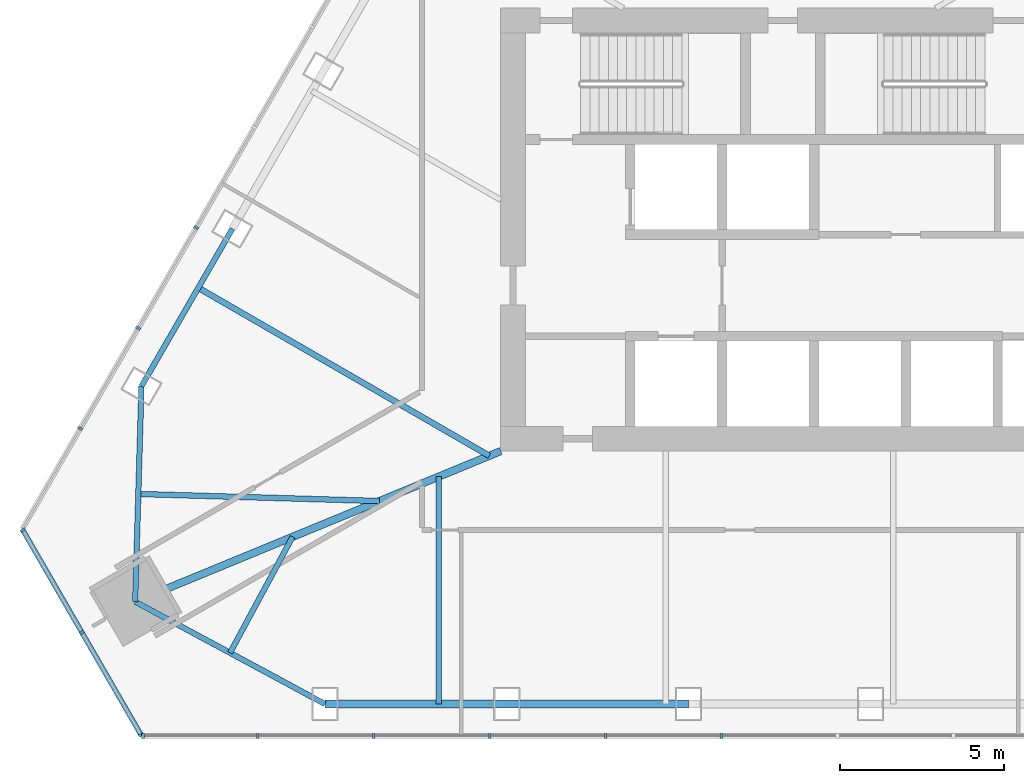
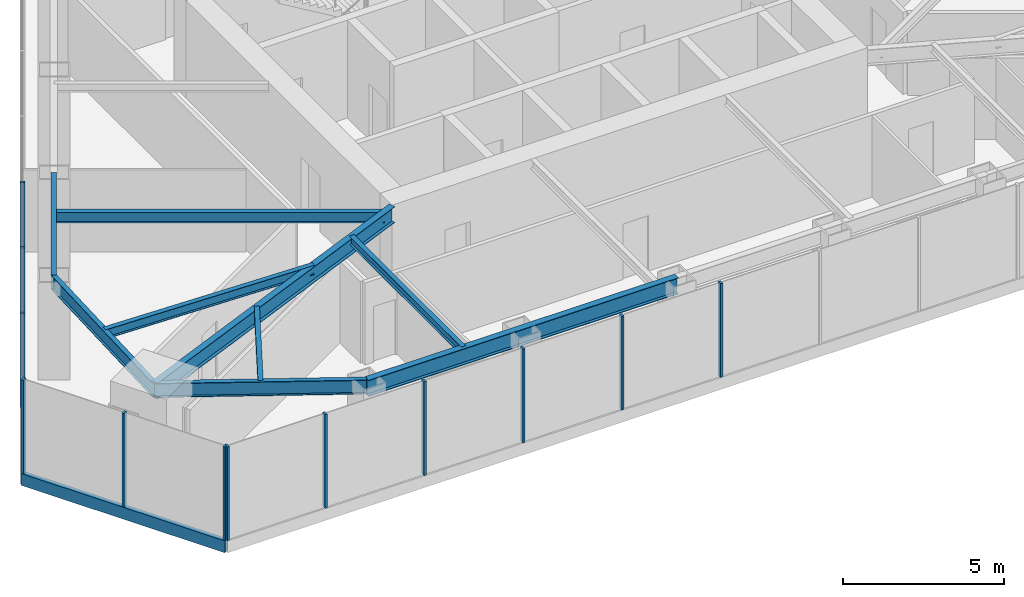
# One storey, part 2 of 13: 13 members, 9 beams, 3 elements without a shape of their own.
"""IFC4 building model written with IfcOpenShell, lengths in metres."""

from ifc_helpers import new_model, si_unit, direction, frame, origin, origin_2d, place, context, subcontext, project, spatial, rectangle, i_section, extrude, material, layer, layer_set, material_profile, profile_set, type_object, element, aggregate, save


model = new_model("IFC4")

# Units and contexts
model_context = context("Model", 3, precision=1e-05, world=origin(), true_north=direction((0.0, 1.0)))
body_context = subcontext(model_context, "Body", "Model", "MODEL_VIEW")
ifc_project = project(units=[si_unit("LENGTHUNIT", "METRE"), si_unit("AREAUNIT", "SQUARE_METRE"), si_unit("VOLUMEUNIT", "CUBIC_METRE"), si_unit("PLANEANGLEUNIT", "RADIAN"), si_unit("MASSUNIT", "GRAM", prefix="KILO")], contexts=[model_context])

# Site, building, storey
site_placement = place(None, origin())
site = spatial("IfcSite", under=ifc_project, at=site_placement, CompositionType="ELEMENT")
building_placement = place(site_placement, origin())
building = spatial("IfcBuilding", under=site, at=building_placement, Name="Firuza Gate Tower and Library", CompositionType="ELEMENT")
storey_placement = place(building_placement, frame((0.0, 0.0, 335.60009765625)))
storey = spatial("IfcBuildingStorey", under=building, at=storey_placement, Name="L82", CompositionType="ELEMENT", Elevation=335.60009765625)

# Curtain wall, members
ifc_material_1 = material(Name="Aluminium 6063-T6", Category="aluminium")
ifc_layer = layer(ifc_material_1, 0.14990234375)
ifc_layer_set = layer_set([ifc_layer], Name="Ceramic screen wall, crown plant")
curtain_wall_type = type_object("IfcCurtainWallType", Name="Ceramic screen wall, crown plant", PredefinedType="NOTDEFINED", material=ifc_layer_set)
placement = place(storey_placement, origin())
curtain_wall_1 = element("IfcCurtainWall", 1, at=placement, inside=storey, type_object=curtain_wall_type, Name="CW6 L82 S", PredefinedType="NOTDEFINED")
ifc_material_2 = material(Name="Aluminium 6063-T6", Category="aluminium")
ifc_material_profile_1 = material_profile(ifc_material_2, rectangle(XDim=0.14990234375, YDim=0.080078125, at=origin_2d()))
ifc_profile_set_1 = profile_set([ifc_material_profile_1], Name="Aluminium 6063-T6")
member_type_1 = type_object("IfcMemberType", Name="Curtain wall mullion 80x150", PredefinedType="MULLION", material=ifc_profile_set_1)
member_1_placement = place(storey_placement, frame((55.5966796875, 59.5673828125, 0.14990234375), z_axis=(0.0, 0.0, 1.0), x_axis=(0.0, 1.0, 0.0)))
member_1 = element("IfcMember", 2, at=member_1_placement, type_object=member_type_1, Name="Mullion", PredefinedType="MULLION", context=body_context, shape_type="SweptSolid", body=[
    extrude(rectangle(XDim=0.14990234375, YDim=0.080078125, at=origin_2d()), origin(), (0.0, 0.0, 1.0), 3.550048828125),
])
member_2_placement = place(storey_placement, frame((59.091796875, 59.5673828125, 0.14990234375), z_axis=(0.0, 0.0, 1.0), x_axis=(0.0, 1.0, 0.0)))
member_2 = element("IfcMember", 3, at=member_2_placement, type_object=member_type_1, Name="Mullion", PredefinedType="MULLION", context=body_context, shape_type="SweptSolid", body=[
    extrude(rectangle(XDim=0.14990234375, YDim=0.080078125, at=origin_2d()), origin(), (0.0, 0.0, 1.0), 3.550048828125),
])
member_3_placement = place(storey_placement, frame((62.626953125, 59.5673828125, 0.14990234375), z_axis=(0.0, 0.0, 1.0), x_axis=(0.0, 1.0, 0.0)))
member_3 = element("IfcMember", 4, at=member_3_placement, type_object=member_type_1, Name="Mullion", PredefinedType="MULLION", context=body_context, shape_type="SweptSolid", body=[
    extrude(rectangle(XDim=0.14990234375, YDim=0.080078125, at=origin_2d()), origin(), (0.0, 0.0, 1.0), 3.550048828125),
])
member_4_placement = place(storey_placement, frame((66.162109375, 59.5673828125, 0.14990234375), z_axis=(0.0, 0.0, 1.0), x_axis=(0.0, 1.0, 0.0)))
member_4 = element("IfcMember", 5, at=member_4_placement, type_object=member_type_1, Name="Mullion", PredefinedType="MULLION", context=body_context, shape_type="SweptSolid", body=[
    extrude(rectangle(XDim=0.14990234375, YDim=0.080078125, at=origin_2d()), origin(), (0.0, 0.0, 1.0), 3.550048828125),
])
member_5_placement = place(storey_placement, frame((69.697265625, 59.5673828125, 0.14990234375), z_axis=(0.0, 0.0, 1.0), x_axis=(0.0, 1.0, 0.0)))
member_5 = element("IfcMember", 6, at=member_5_placement, type_object=member_type_1, Name="Mullion", PredefinedType="MULLION", context=body_context, shape_type="SweptSolid", body=[
    extrude(rectangle(XDim=0.14990234375, YDim=0.080078125, at=origin_2d()), origin(), (0.0, 0.0, 1.0), 3.550048828125),
])
member_6_placement = place(storey_placement, frame((73.232421875, 59.5673828125, 0.14990234375), z_axis=(0.0, 0.0, 1.0), x_axis=(0.0, 1.0, 0.0)))
member_6 = element("IfcMember", 7, at=member_6_placement, type_object=member_type_1, Name="Mullion", PredefinedType="MULLION", context=body_context, shape_type="SweptSolid", body=[
    extrude(rectangle(XDim=0.14990234375, YDim=0.080078125, at=origin_2d()), origin(), (0.0, 0.0, 1.0), 3.550048828125),
])
aggregate(curtain_wall_1, [member_1, member_2, member_3, member_4, member_5, member_6])

curtain_wall_2 = element("IfcCurtainWall", 8, at=placement, inside=storey, type_object=curtain_wall_type, Name="CW6 L82 W", PredefinedType="NOTDEFINED")
member_7_placement = place(storey_placement, frame((57.216064453125, 75.0625, 0.14990234375), z_axis=(0.0, 0.0, 1.0), x_axis=(0.866025403784, -0.5, 0.0)))
member_7 = element("IfcMember", 9, at=member_7_placement, type_object=member_type_1, Name="Mullion", PredefinedType="MULLION", context=body_context, shape_type="SweptSolid", body=[
    extrude(rectangle(XDim=0.14990234375, YDim=0.080078125, at=origin_2d()), origin(), (0.0, 0.0, 1.0), 3.550048828125),
])
member_8_placement = place(storey_placement, frame((55.448486328125, 72.0009765625, 0.14990234375), z_axis=(0.0, 0.0, 1.0), x_axis=(0.866025403784, -0.5, 0.0)))
member_8 = element("IfcMember", 10, at=member_8_placement, type_object=member_type_1, Name="Mullion", PredefinedType="MULLION", context=body_context, shape_type="SweptSolid", body=[
    extrude(rectangle(XDim=0.14990234375, YDim=0.080078125, at=origin_2d()), origin(), (0.0, 0.0, 1.0), 3.550048828125),
])
member_9_placement = place(storey_placement, frame((53.680908203125, 68.939453125, 0.14990234375), z_axis=(0.0, 0.0, 1.0), x_axis=(0.866025403784, -0.5, 0.0)))
member_9 = element("IfcMember", 11, at=member_9_placement, type_object=member_type_1, Name="Mullion", PredefinedType="MULLION", context=body_context, shape_type="SweptSolid", body=[
    extrude(rectangle(XDim=0.14990234375, YDim=0.080078125, at=origin_2d()), origin(), (0.0, 0.0, 1.0), 3.550048828125),
])
aggregate(curtain_wall_2, [member_7, member_8, member_9])

curtain_wall_3 = element("IfcCurtainWall", 12, at=placement, inside=storey, type_object=curtain_wall_type, Name="CW6 L82 SW", PredefinedType="NOTDEFINED")
member_10_placement = place(storey_placement, frame((51.933349609375, 65.84326171875, 0.14990234375), z_axis=(0.0, 0.0, 1.0), x_axis=(0.866025403784, 0.5, 0.0)))
member_10 = element("IfcMember", 13, at=member_10_placement, type_object=member_type_1, Name="Mullion", PredefinedType="MULLION", context=body_context, shape_type="SweptSolid", body=[
    extrude(rectangle(XDim=0.14990234375, YDim=0.080078125, at=origin_2d()), origin(), (0.0, 0.0, 1.0), 3.550048828125),
])
member_11_placement = place(storey_placement, frame((53.735107421875, 62.72265625, 0.14990234375), z_axis=(0.0, 0.0, 1.0), x_axis=(0.866025403784, 0.5, 0.0)))
member_11 = element("IfcMember", 14, at=member_11_placement, type_object=member_type_1, Name="Mullion", PredefinedType="MULLION", context=body_context, shape_type="SweptSolid", body=[
    extrude(rectangle(XDim=0.14990234375, YDim=0.080078125, at=origin_2d()), origin(), (0.0, 0.0, 1.0), 3.550048828125),
])
member_12_placement = place(storey_placement, frame((55.53662109375, 59.60205078125, 0.14990234375), z_axis=(0.0, 0.0, 1.0), x_axis=(0.866025403784, 0.5, 0.0)))
member_12 = element("IfcMember", 15, at=member_12_placement, type_object=member_type_1, Name="Mullion", PredefinedType="MULLION", context=body_context, shape_type="SweptSolid", body=[
    extrude(rectangle(XDim=0.14990234375, YDim=0.080078125, at=origin_2d()), origin(), (0.0, 0.0, 1.0), 3.550048828125),
])
ifc_material_3 = material(Name="Aluminium 6063-T6", Category="aluminium")
ifc_material_profile_2 = material_profile(ifc_material_3, rectangle(XDim=0.14990234375, YDim=0.449951171875, at=origin_2d()))
ifc_profile_set_2 = profile_set([ifc_material_profile_2], Name="Aluminium 6063-T6")
member_type_2 = type_object("IfcMemberType", Name="Curtain wall transom 450x150", PredefinedType="USERDEFINED", material=ifc_profile_set_2)
member_13_placement = place(storey_placement, frame((51.913330078125, 65.8779296875, -0.0751953125), z_axis=(0.499991211061, -0.866030478021, 0.0), x_axis=(0.866030478021, 0.499991211061, 0.0)))
member_13 = element("IfcMember", 16, at=member_13_placement, type_object=member_type_2, Name="Transom", ObjectType="TRANSOM", PredefinedType="USERDEFINED", context=body_context, shape_type="SweptSolid", body=[
    extrude(rectangle(XDim=0.14990234375, YDim=0.449951171875, at=origin_2d()), origin(), (0.0, 0.0, 1.0), 7.286865234375),
])
aggregate(curtain_wall_3, [member_10, member_11, member_12, member_13])

# Beams
ifc_material_4 = material(Name="Steel S355", Category="steel")
ifc_material_profile_3 = material_profile(ifc_material_4, i_section(OverallWidth=0.1650390625, OverallDepth=0.31005859375, WebThickness=0.005859375, FlangeThickness=0.009765625, at=origin_2d()))
ifc_profile_set_3 = profile_set([ifc_material_profile_3], Name="Steel S355")
beam_type_1 = type_object("IfcBeamType", Name="W310x39 Floor beam", PredefinedType="JOIST", material=ifc_profile_set_3)
beam_1_placement = place(storey_placement, frame((58.250732421875, 62.101318359375, 3.544921875), z_axis=(0.474502137852, 0.880254350273, 0.0), x_axis=(-0.880254350273, 0.474502137852, 0.0)))
element("IfcBeam", 17, at=beam_1_placement, inside=storey, type_object=beam_type_1, Name="Floor beam L82 s10", PredefinedType="JOIST", context=body_context, shape_type="SweptSolid", body=[
    extrude(i_section(OverallWidth=0.1650390625, OverallDepth=0.31005859375, WebThickness=0.005859375, FlangeThickness=0.009765625, at=origin_2d()), origin(), (0.0, 0.0, 1.0), 4.016357421875),
])
beam_2_placement = place(storey_placement, frame((64.607177734375, 60.54248046875, 3.544921875), z_axis=(0.0, 1.0, 0.0), x_axis=(-1.0, 0.0, 0.0)))
element("IfcBeam", 18, at=beam_2_placement, inside=storey, type_object=beam_type_1, Name="Floor beam L82 s20", PredefinedType="JOIST", context=body_context, shape_type="SweptSolid", body=[
    extrude(i_section(OverallWidth=0.1650390625, OverallDepth=0.31005859375, WebThickness=0.005859375, FlangeThickness=0.009765625, at=origin_2d()), origin(), (0.0, 0.0, 1.0), 6.927734375),
])
ifc_material_5 = material(Name="Steel S355", Category="steel")
ifc_material_profile_4 = material_profile(ifc_material_5, i_section(OverallWidth=0.1708984375, OverallDepth=0.35498046875, WebThickness=0.007080078125, FlangeThickness=0.01171875, at=origin_2d()))
ifc_profile_set_4 = profile_set([ifc_material_profile_4], Name="Steel S355")
beam_type_2 = type_object("IfcBeamType", Name="W360x51 Floor beam", PredefinedType="JOIST", material=ifc_profile_set_4)
beam_3_placement = place(storey_placement, frame((55.454833984375, 66.944091796875, 3.5224609375), z_axis=(0.999573472059, -0.029204005824, 0.0), x_axis=(0.029204005824, 0.999573472059, 0.0)))
element("IfcBeam", 19, at=beam_3_placement, inside=storey, type_object=beam_type_2, Name="Floor beam L82 s00", PredefinedType="JOIST", context=body_context, shape_type="SweptSolid", body=[
    extrude(i_section(OverallWidth=0.1708984375, OverallDepth=0.35498046875, WebThickness=0.007080078125, FlangeThickness=0.01171875, at=origin_2d()), origin(), (0.0, 0.0, 1.0), 7.356689453125),
])
ifc_material_6 = material(Name="Steel S355", Category="steel")
ifc_material_profile_5 = material_profile(ifc_material_6, i_section(OverallWidth=0.177978515625, OverallDepth=0.406982421875, WebThickness=0.0078125, FlangeThickness=0.0126953125, at=origin_2d()))
ifc_profile_set_5 = profile_set([ifc_material_profile_5], Name="Steel S355")
beam_type_3 = type_object("IfcBeamType", Name="W410x60 Floor beam", PredefinedType="JOIST", material=ifc_profile_set_5)
beam_4_placement = place(storey_placement, frame((57.282958984375, 73.228271484375, 3.496337890625), z_axis=(0.866028396804, -0.499994815902, 0.0), x_axis=(0.499994815902, 0.866028396804, 0.0)))
element("IfcBeam", 20, at=beam_4_placement, inside=storey, type_object=beam_type_3, Name="Floor beam L82 s83", PredefinedType="JOIST", context=body_context, shape_type="SweptSolid", body=[
    extrude(i_section(OverallWidth=0.177978515625, OverallDepth=0.406982421875, WebThickness=0.0078125, FlangeThickness=0.0126953125, at=origin_2d()), origin(), (0.0, 0.0, 1.0), 10.2421875),
])
ifc_material_7 = material(Name="Steel S355", Category="steel")
ifc_material_profile_6 = material_profile(ifc_material_7, i_section(OverallWidth=0.166015625, OverallDepth=0.534912109375, WebThickness=0.01025390625, FlangeThickness=0.0166015625, at=origin_2d()))
ifc_profile_set_6 = profile_set([ifc_material_profile_6], Name="Steel S355")
beam_type_4 = type_object("IfcBeamType", Name="W530x85 Edge beam", PredefinedType="SPANDREL", material=ifc_profile_set_6)
for number, where, z_axis, x_axis, name in (
    (21, (55.55078125, 70.22802734375, 3.432373046875), (-0.029204696052, -0.999573451893, 0.0), (0.999573451893, -0.029204696052, 0.0), "Edge beam L82 e00"),
    (22, (55.35888671875, 63.66015625, 3.432373046875), (0.880264612771, -0.474483099282, 0.0), (0.474483099282, 0.880264612771, 0.0), "Edge beam L82 e10"),
):
    element("IfcBeam", number, at=place(storey_placement, frame(where, z_axis=z_axis, x_axis=x_axis)), inside=storey, type_object=beam_type_4, Name=name, PredefinedType="SPANDREL", context=body_context, shape_type="SweptSolid", body=[
        extrude(i_section(OverallWidth=0.166015625, OverallDepth=0.534912109375, WebThickness=0.01025390625, FlangeThickness=0.0166015625, at=origin_2d()), origin(), (0.0, 0.0, 1.0), 6.570556640625),
    ])
beam_5_placement = place(storey_placement, frame((58.322265625, 75.0283203125, 3.432373046875), z_axis=(-0.500004591975, -0.86602275259, 0.0), x_axis=(0.86602275259, -0.500004591975, 0.0)))
element("IfcBeam", 23, at=beam_5_placement, inside=storey, type_object=beam_type_4, Name="Edge beam L82 e84", PredefinedType="SPANDREL", context=body_context, shape_type="SweptSolid", body=[
    extrude(i_section(OverallWidth=0.166015625, OverallDepth=0.534912109375, WebThickness=0.01025390625, FlangeThickness=0.0166015625, at=origin_2d()), origin(), (0.0, 0.0, 1.0), 5.54296875),
])
ifc_material_8 = material(Name="Steel S355", Category="steel")
ifc_material_profile_7 = material_profile(ifc_material_8, i_section(OverallWidth=0.22802734375, OverallDepth=0.60302734375, WebThickness=0.010498046875, FlangeThickness=0.014892578125, at=origin_2d()))
ifc_profile_set_7 = profile_set([ifc_material_profile_7], Name="Steel S355")
beam_type_5 = type_object("IfcBeamType", Name="W610x101 Girder", PredefinedType="BEAM", material=ifc_profile_set_7)
beam_6_placement = place(storey_placement, frame((55.35888671875, 63.66015625, 3.3984375), z_axis=(0.92461010604, 0.380914887881, 0.0), x_axis=(-0.380914887881, 0.92461010604, 0.0)))
element("IfcBeam", 24, at=beam_6_placement, inside=storey, type_object=beam_type_5, Name="Girder L82 gSW", PredefinedType="BEAM", context=body_context, shape_type="SweptSolid", body=[
    extrude(i_section(OverallWidth=0.22802734375, OverallDepth=0.60302734375, WebThickness=0.010498046875, FlangeThickness=0.014892578125, at=origin_2d()), origin(), (0.0, 0.0, 1.0), 12.049560546875),
])
ifc_material_9 = material(Name="Steel S355", Category="steel")
ifc_material_profile_8 = material_profile(ifc_material_9, i_section(OverallWidth=0.22900390625, OverallDepth=0.612060546875, WebThickness=0.011962890625, FlangeThickness=0.01953125, at=origin_2d()))
ifc_profile_set_8 = profile_set([ifc_material_profile_8], Name="Steel S355")
beam_type_6 = type_object("IfcBeamType", Name="W610x125 Edge beam", PredefinedType="SPANDREL", material=ifc_profile_set_8)
beam_7_placement = place(storey_placement, frame((61.142822265625, 60.54248046875, 3.393798828125), z_axis=(1.0, 0.0, 0.0), x_axis=(0.0, 1.0, 0.0)))
element("IfcBeam", 25, at=beam_7_placement, inside=storey, type_object=beam_type_6, Name="Edge beam L82 e20", PredefinedType="SPANDREL", context=body_context, shape_type="SweptSolid", body=[
    extrude(i_section(OverallWidth=0.22900390625, OverallDepth=0.612060546875, WebThickness=0.011962890625, FlangeThickness=0.01953125, at=origin_2d()), origin(), (0.0, 0.0, 1.0), 11.085693359375),
])

save(model, "model.ifc")
